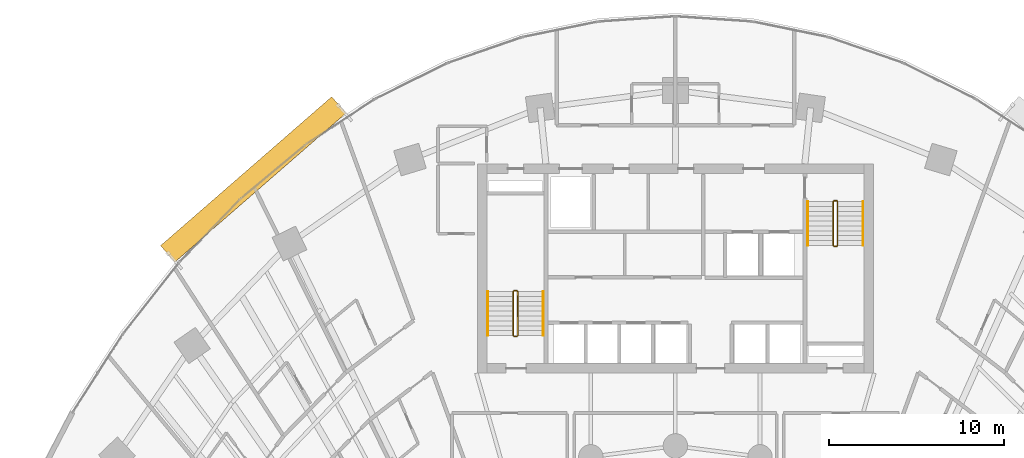
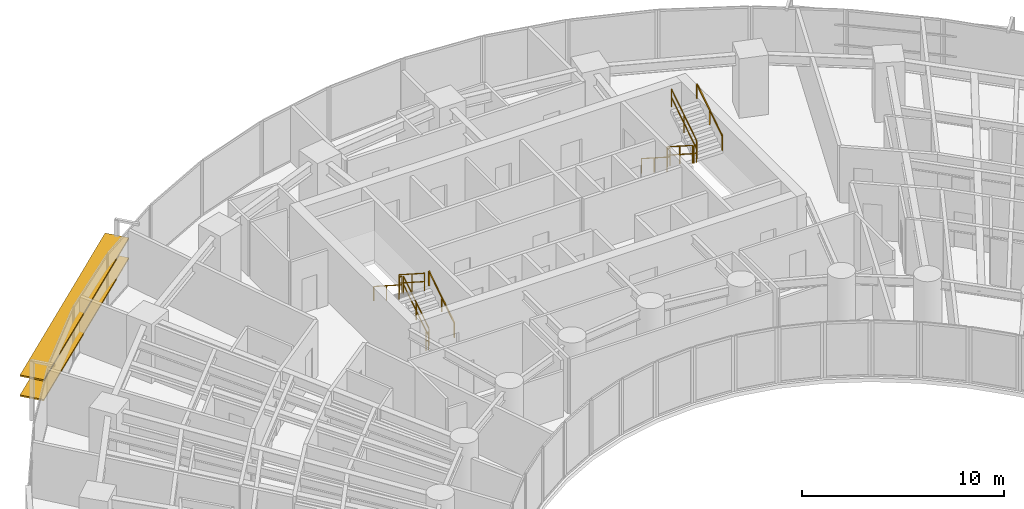
# One storey, part 17 of 18: 12 railings, 2 shading devices.
"""IFC4 building model written with IfcOpenShell, lengths in metres."""

import ifcopenshell
import ifcopenshell.guid

model = None  # the IFC model being written
_history = None  # IfcOwnerHistory: only IFC2X3 demands one
_inside = {}  # id of a spatial element -> (the spatial element, [elements in it])
_under = {}  # id of a project, library or spatial element -> (it, [spatial elements below it])
_declared = {}  # id of a project -> (the project, [libraries it declares])
_typed = {}  # id of a type object -> (the type object, [elements of that type])
_made_of = {}  # id of a material, layer set ... -> (it, [elements and type objects made of it])


def new_model(schema):
    """Start an empty IFC model of exactly this schema.

    Asked for "IFC4X3", IfcOpenShell would pick the latest addendum, in which some entities
    have other attributes; the version numbers below select the first issue.
    IFC2X3 requires an IfcOwnerHistory on every rooted entity: one is made here for all.
    """
    global model, _history
    if schema == "IFC4X3":
        model = ifcopenshell.file(schema_version=(4, 3, 0, 0))
    else:
        model = ifcopenshell.file(schema=schema)
    _inside.clear()
    _under.clear()
    _declared.clear()
    _typed.clear()
    _made_of.clear()
    _history = None
    if model.schema == "IFC2X3":
        org = make("IfcOrganization", Name="unknown")
        user = make(
            "IfcPersonAndOrganization",
            ThePerson=make("IfcPerson", FamilyName="unknown"),
            TheOrganization=org,
        )
        app = make(
            "IfcApplication",
            ApplicationDeveloper=org,
            Version="unknown",
            ApplicationFullName="unknown",
            ApplicationIdentifier="unknown",
        )
        _history = make(
            "IfcOwnerHistory",
            OwningUser=user,
            OwningApplication=app,
            ChangeAction="ADDED",
            CreationDate=0,
        )
    return model


def make(cls, **values):
    """One entity of the class cls with the attributes given. An attribute that is None is left unset."""
    return model.create_entity(
        cls, **{name: value for name, value in values.items() if value is not None}
    )


def rooted(cls, **values):
    """An entity with a GlobalId (a new one), such as an element, a storey or a relation."""
    return make(cls, GlobalId=ifcopenshell.guid.new(), OwnerHistory=_history, **values)


def si_unit(unit_type, name, prefix=None):
    """IfcSIUnit, for example si_unit("LENGTHUNIT", "METRE", prefix="MILLI")."""
    return make("IfcSIUnit", UnitType=unit_type, Prefix=prefix, Name=name)


def assignment(units):
    """IfcUnitAssignment: the units of a project."""
    return None if units is None else make("IfcUnitAssignment", Units=units)


def point(xyz):
    """IfcCartesianPoint."""
    return None if xyz is None else make("IfcCartesianPoint", Coordinates=xyz)


def direction(xyz):
    """IfcDirection."""
    return None if xyz is None else make("IfcDirection", DirectionRatios=xyz)


def frame(location, z_axis=None, x_axis=None):
    """IfcAxis2Placement3D, a coordinate frame: its origin and axes. An axis left out is left unset."""
    return make(
        "IfcAxis2Placement3D",
        Location=point(location),
        Axis=direction(z_axis),
        RefDirection=direction(x_axis),
    )


def frame_2d(location, x_axis=None):
    """IfcAxis2Placement2D, a coordinate frame in the plane: its origin and x axis."""
    return make(
        "IfcAxis2Placement2D", Location=point(location), RefDirection=direction(x_axis)
    )


def origin():
    """The frame at (0, 0, 0) with its axes left unset."""
    return frame((0.0, 0.0, 0.0))


def origin_2d():
    """The frame at (0, 0) in the plane with its x axis left unset."""
    return frame_2d((0.0, 0.0))


def place(relative_to, where):
    """IfcLocalPlacement: puts the frame where relative to a parent placement (None: the world)."""
    return make(
        "IfcLocalPlacement", PlacementRelTo=relative_to, RelativePlacement=where
    )


def context(
    kind, dimensions, precision=None, world=None, true_north=None, identifier=None
):
    """IfcGeometricRepresentationContext, for example the 3D "Model" context."""
    return make(
        "IfcGeometricRepresentationContext",
        ContextIdentifier=identifier,
        ContextType=kind,
        CoordinateSpaceDimension=dimensions,
        Precision=precision,
        WorldCoordinateSystem=world,
        TrueNorth=true_north,
    )


def subcontext(parent, identifier, kind, view, scale=None):
    """IfcGeometricRepresentationSubContext, for example "Body" below "Model"."""
    return make(
        "IfcGeometricRepresentationSubContext",
        ContextIdentifier=identifier,
        ContextType=kind,
        ParentContext=parent,
        TargetScale=scale,
        TargetView=view,
    )


def project(units=None, contexts=None):
    """IfcProject with its units and contexts."""
    return rooted(
        "IfcProject",
        Name="project",
        RepresentationContexts=contexts,
        UnitsInContext=assignment(units),
    )


def spatial(cls, under=None, at=None, **own):
    """A site, building, storey or space (cls), placed at a placement, below another one or the project."""
    s = rooted(cls, ObjectPlacement=at, **own)
    if under is not None:
        _under.setdefault(under.id(), (under, []))[1].append(s)
    return s


def profile(cls, at=None, kind="AREA", **sizes):
    """A parametric profile (cls). Its sizes go by their IFC names, for example OverallWidth=200.0."""
    return make(cls, ProfileType=kind, Position=at, **sizes)


def rectangle(**sizes):
    """IfcRectangleProfileDef."""
    return profile("IfcRectangleProfileDef", **sizes)


def extrude(swept, where, along, depth):
    """IfcExtrudedAreaSolid: the profile swept, set in the frame where, extruded along a direction by depth."""
    return make(
        "IfcExtrudedAreaSolid",
        SweptArea=swept,
        Position=where,
        ExtrudedDirection=direction(along),
        Depth=depth,
    )


def shape(context_of_items, identifier, shape_type, items):
    """IfcShapeRepresentation: the items that make up one representation, for example the "Body"."""
    return make(
        "IfcShapeRepresentation",
        ContextOfItems=context_of_items,
        RepresentationIdentifier=identifier,
        RepresentationType=shape_type,
        Items=items,
    )


def source(mapping_origin, context_of_items, identifier, shape_type, items):
    """IfcRepresentationMap: a shape defined once, which mapped items show again and again."""
    return make(
        "IfcRepresentationMap",
        MappingOrigin=mapping_origin,
        MappedRepresentation=shape(context_of_items, identifier, shape_type, items),
    )


def transform(
    local_origin,
    x_axis=None,
    y_axis=None,
    z_axis=None,
    scale=None,
    scale2=None,
    scale3=None,
    uniform=True,
):
    """IfcCartesianTransformationOperator3D, or its non-uniform kind. x_axis, y_axis, z_axis: its Axis1, 2, 3."""
    if uniform:
        return make(
            "IfcCartesianTransformationOperator3D",
            Axis1=direction(x_axis),
            Axis2=direction(y_axis),
            LocalOrigin=point(local_origin),
            Scale=scale,
            Axis3=direction(z_axis),
        )
    return make(
        "IfcCartesianTransformationOperator3DnonUniform",
        Axis1=direction(x_axis),
        Axis2=direction(y_axis),
        LocalOrigin=point(local_origin),
        Scale=scale,
        Axis3=direction(z_axis),
        Scale2=scale2,
        Scale3=scale3,
    )


def mapped(mapping_source, mapping_target):
    """IfcMappedItem: shows the shape of a source again, moved by a transform."""
    return make(
        "IfcMappedItem", MappingSource=mapping_source, MappingTarget=mapping_target
    )


def material(Name=None, Category=None):
    """IfcMaterial."""
    return make("IfcMaterial", Name=Name, Category=Category)


def material_profile(
    of_material, cross_section, Name=None, Category=None, Priority=None
):
    """IfcMaterialProfile: a cross section and its material."""
    return make(
        "IfcMaterialProfile",
        Name=Name,
        Material=of_material,
        Profile=cross_section,
        Priority=Priority,
        Category=Category,
    )


def profile_set(profiles, Name=None, composite=None):
    """IfcMaterialProfileSet."""
    return make(
        "IfcMaterialProfileSet",
        Name=Name,
        MaterialProfiles=profiles,
        CompositeProfile=composite,
    )


def made_of(thing, what):
    """Note that an element or type object is made of a material, layer set ...; save() writes the relation."""
    if what is not None:
        _made_of.setdefault(what.id(), (what, []))[1].append(thing)
    return thing


def type_object(cls, material=None, **own):
    """A type object (cls), such as IfcWallType, which elements share."""
    return made_of(rooted(cls, **own), material)


def type_shapes(of_type, sources):
    """Give a type object the sources (RepresentationMaps) that its elements show as mapped items."""
    of_type.RepresentationMaps = sources


def element(
    cls,
    number,
    at=None,
    inside=None,
    cuts=None,
    type_object=None,
    material=None,
    context=None,
    identifier="Body",
    shape_type=None,
    held_by="IfcProductDefinitionShape",
    body=None,
    shapes=None,
    **own,
):
    """One element of the class cls, such as IfcWall. Its Tag is "e" and its number.

    at: its placement. inside: the storey or other place that contains it. cuts: it is an
    opening in that element (IfcRelVoidsElement). A single representation is given by context,
    identifier, shape_type and body (its items); several are given by shapes. held_by: the class
    of the entity that holds the representations. save() writes the other relations.
    """
    e = rooted(cls, Tag="e%d" % number, ObjectPlacement=at, **own)
    if body is not None:
        shapes = [shape(context, identifier, shape_type, body)]
    if shapes is not None:
        e.Representation = make(held_by, Representations=shapes)
    if inside is not None:
        _inside.setdefault(inside.id(), (inside, []))[1].append(e)
    if cuts is not None:
        rooted(
            "IfcRelVoidsElement", RelatingBuildingElement=cuts, RelatedOpeningElement=e
        )
    if type_object is not None:
        _typed.setdefault(type_object.id(), (type_object, []))[1].append(e)
    return made_of(e, material)


def aggregate(whole, parts):
    """IfcRelAggregates: a whole, such as a stair, and the parts it consists of."""
    return rooted("IfcRelAggregates", RelatingObject=whole, RelatedObjects=parts)


def save(model, path):
    """Write the relations noted so far, then the file.

    IfcRelAggregates (storeys below a building ...), IfcRelContainedInSpatialStructure (elements
    in a storey), IfcRelDefinesByType, IfcRelAssociatesMaterial and IfcRelDeclares: one each for
    every whole, place, type object, material and project.
    """
    for whole, parts in _under.values():
        aggregate(whole, parts)
    for where, things in _inside.values():
        rooted(
            "IfcRelContainedInSpatialStructure",
            RelatedElements=things,
            RelatingStructure=where,
        )
    for kind, things in _typed.values():
        rooted("IfcRelDefinesByType", RelatedObjects=things, RelatingType=kind)
    for what, things in _made_of.values():
        rooted("IfcRelAssociatesMaterial", RelatedObjects=things, RelatingMaterial=what)
    for by, libraries in _declared.values():
        rooted("IfcRelDeclares", RelatingContext=by, RelatedDefinitions=libraries)
    model.write(path)


model = new_model("IFC4")

# Units and contexts
model_context = context("Model", 3, precision=1e-05, world=origin(), true_north=direction((0.0, 1.0)))
body_context = subcontext(model_context, "Body", "Model", "MODEL_VIEW")
ifc_project = project(units=[si_unit("LENGTHUNIT", "METRE"), si_unit("AREAUNIT", "SQUARE_METRE"), si_unit("VOLUMEUNIT", "CUBIC_METRE"), si_unit("PLANEANGLEUNIT", "RADIAN"), si_unit("MASSUNIT", "GRAM", prefix="KILO")], contexts=[model_context])

# Site, building, storey
site_placement = place(None, origin())
site = spatial("IfcSite", under=ifc_project, at=site_placement, CompositionType="ELEMENT")
building_placement = place(site_placement, origin())
building = spatial("IfcBuilding", under=site, at=building_placement, Name="Breltana Convention Tower", CompositionType="ELEMENT")
storey_placement = place(building_placement, frame((0.0, 0.0, 42.60009765625)))
storey = spatial("IfcBuildingStorey", under=building, at=storey_placement, Name="L08", CompositionType="ELEMENT", Elevation=42.60009765625)

# Railings
ifc_material_1 = material(Name="Steel S275 Painted", Category="steel")
railing_type_1 = type_object("IfcRailingType", Name="RL-STAIR-GUARD-1100", PredefinedType="GUARDRAIL", material=ifc_material_1)
railing_1_placement = place(storey_placement, frame((38.9599609375, 62.360107421875, 0.179931640625)))
element("IfcRailing", 1, at=railing_1_placement, inside=storey, type_object=railing_type_1, Name="L08 ST-1 stair guard 1", PredefinedType="GUARDRAIL", context=body_context, shape_type="SweptSolid", body=[
    extrude(rectangle(XDim=0.048095703125, YDim=0.048095703125, at=origin_2d()), frame((0.0, 0.0, 1.076171875), z_axis=(0.0, 0.841175827307, 0.540761710511), x_axis=(-1.0, 0.0, 0.0)), (0.0, 0.0, 1.0), 2.99560546875),
    extrude(rectangle(XDim=0.048095703125, YDim=0.048095703125, at=origin_2d()), frame((0.0, 0.0, 0.572021484375), z_axis=(0.0, 0.841175827307, 0.540761710511), x_axis=(-1.0, 0.0, 0.0)), (0.0, 0.0, 1.0), 2.99560546875),
    extrude(rectangle(XDim=0.0419921875, YDim=0.0419921875, at=origin_2d()), origin(), (0.0, 0.0, 1.0), 1.052001953125),
    extrude(rectangle(XDim=0.0419921875, YDim=0.0419921875, at=origin_2d()), frame((0.0, 1.259765625, 0.81005859375)), (0.0, 0.0, 1.0), 1.052001953125),
    extrude(rectangle(XDim=0.0419921875, YDim=0.0419921875, at=origin_2d()), frame((0.0, 2.519775390625, 1.619873046875)), (0.0, 0.0, 1.0), 1.052001953125),
])
railing_2_placement = place(storey_placement, frame((38.909912109375, 64.929931640625, 1.7998046875)))
element("IfcRailing", 2, at=railing_2_placement, inside=storey, type_object=railing_type_1, Name="L08 ST-1 stair guard 2", PredefinedType="GUARDRAIL", context=body_context, shape_type="SweptSolid", body=[
    extrude(rectangle(XDim=0.048095703125, YDim=0.048095703125, at=origin_2d()), frame((0.0, 0.0, 1.076171875), z_axis=(-1.0, 0.0, 0.0), x_axis=(0.0, -1.0, 0.0)), (0.0, 0.0, 1.0), 0.14990234375),
    extrude(rectangle(XDim=0.048095703125, YDim=0.048095703125, at=origin_2d()), frame((0.0, 0.0, 0.572021484375), z_axis=(-1.0, 0.0, 0.0), x_axis=(0.0, -1.0, 0.0)), (0.0, 0.0, 1.0), 0.14990234375),
    extrude(rectangle(XDim=0.0419921875, YDim=0.0419921875, at=origin_2d()), origin(), (0.0, 0.0, 1.0), 1.052001953125),
    extrude(rectangle(XDim=0.0419921875, YDim=0.0419921875, at=origin_2d()), frame((-0.14990234375, 0.0, 0.0)), (0.0, 0.0, 1.0), 1.052001953125),
])
railing_3_placement = place(storey_placement, frame((38.7099609375, 64.8798828125, 1.97998046875)))
element("IfcRailing", 3, at=railing_3_placement, inside=storey, type_object=railing_type_1, Name="L08 ST-1 stair guard 3", PredefinedType="GUARDRAIL", context=body_context, shape_type="SweptSolid", body=[
    extrude(rectangle(XDim=0.048095703125, YDim=0.048095703125, at=origin_2d()), frame((0.0, 0.0, 1.076171875), z_axis=(0.0, -0.841175827307, 0.540761710511), x_axis=(1.0, 0.0, 0.0)), (0.0, 0.0, 1.0), 2.99560546875),
    extrude(rectangle(XDim=0.048095703125, YDim=0.048095703125, at=origin_2d()), frame((0.0, 0.0, 0.572021484375), z_axis=(0.0, -0.841175827307, 0.540761710511), x_axis=(1.0, 0.0, 0.0)), (0.0, 0.0, 1.0), 2.99560546875),
    extrude(rectangle(XDim=0.0419921875, YDim=0.0419921875, at=origin_2d()), origin(), (0.0, 0.0, 1.0), 1.052001953125),
    extrude(rectangle(XDim=0.0419921875, YDim=0.0419921875, at=origin_2d()), frame((0.0, -1.259765625, 0.81005859375)), (0.0, 0.0, 1.0), 1.052001953125),
    extrude(rectangle(XDim=0.0419921875, YDim=0.0419921875, at=origin_2d()), frame((0.0, -2.519775390625, 1.619873046875)), (0.0, 0.0, 1.0), 1.052001953125),
])
railing_4_placement = place(storey_placement, frame((38.909912109375, 62.31005859375, 0.0)))
element("IfcRailing", 4, at=railing_4_placement, inside=storey, type_object=railing_type_1, Name="L08 ST-1 stair guard 4", PredefinedType="GUARDRAIL", context=body_context, shape_type="SweptSolid", body=[
    extrude(rectangle(XDim=0.048095703125, YDim=0.048095703125, at=origin_2d()), frame((0.0, 0.0, 1.076171875), z_axis=(-1.0, 0.0, 0.0), x_axis=(0.0, -1.0, 0.0)), (0.0, 0.0, 1.0), 0.14990234375),
    extrude(rectangle(XDim=0.048095703125, YDim=0.048095703125, at=origin_2d()), frame((0.0, 0.0, 0.572021484375), z_axis=(-1.0, 0.0, 0.0), x_axis=(0.0, -1.0, 0.0)), (0.0, 0.0, 1.0), 0.14990234375),
    extrude(rectangle(XDim=0.0419921875, YDim=0.0419921875, at=origin_2d()), origin(), (0.0, 0.0, 1.0), 1.052001953125),
    extrude(rectangle(XDim=0.0419921875, YDim=0.0419921875, at=origin_2d()), frame((-0.14990234375, 0.0, 0.0)), (0.0, 0.0, 1.0), 1.052001953125),
])
railing_5_placement = place(storey_placement, frame((57.0400390625, 70.0400390625, 0.179931640625)))
element("IfcRailing", 5, at=railing_5_placement, inside=storey, type_object=railing_type_1, Name="L08 ST-2 stair guard 1", PredefinedType="GUARDRAIL", context=body_context, shape_type="SweptSolid", body=[
    extrude(rectangle(XDim=0.048095703125, YDim=0.048095703125, at=origin_2d()), frame((0.0, 0.0, 1.076171875), z_axis=(0.0, -0.841199657755, 0.540724639528), x_axis=(1.0, 0.0, 0.0)), (0.0, 0.0, 1.0), 2.995849609375),
    extrude(rectangle(XDim=0.048095703125, YDim=0.048095703125, at=origin_2d()), frame((0.0, 0.0, 0.572021484375), z_axis=(0.0, -0.841199657755, 0.540724639528), x_axis=(1.0, 0.0, 0.0)), (0.0, 0.0, 1.0), 2.995849609375),
    extrude(rectangle(XDim=0.0419921875, YDim=0.0419921875, at=origin_2d()), origin(), (0.0, 0.0, 1.0), 1.052001953125),
    extrude(rectangle(XDim=0.0419921875, YDim=0.0419921875, at=origin_2d()), frame((0.0, -1.260009765625, 0.81005859375)), (0.0, 0.0, 1.0), 1.052001953125),
    extrude(rectangle(XDim=0.0419921875, YDim=0.0419921875, at=origin_2d()), frame((0.0, -2.52001953125, 1.619873046875)), (0.0, 0.0, 1.0), 1.052001953125),
])
railing_6_placement = place(storey_placement, frame((57.090087890625, 67.469970703125, 1.7998046875)))
element("IfcRailing", 6, at=railing_6_placement, inside=storey, type_object=railing_type_1, Name="L08 ST-2 stair guard 2", PredefinedType="GUARDRAIL", context=body_context, shape_type="SweptSolid", body=[
    extrude(rectangle(XDim=0.048095703125, YDim=0.048095703125, at=origin_2d()), frame((0.0, 0.0, 1.076171875), z_axis=(1.0, 0.0, 0.0), x_axis=(0.0, 1.0, 0.0)), (0.0, 0.0, 1.0), 0.14990234375),
    extrude(rectangle(XDim=0.048095703125, YDim=0.048095703125, at=origin_2d()), frame((0.0, 0.0, 0.572021484375), z_axis=(1.0, 0.0, 0.0), x_axis=(0.0, 1.0, 0.0)), (0.0, 0.0, 1.0), 0.14990234375),
    extrude(rectangle(XDim=0.0419921875, YDim=0.0419921875, at=origin_2d()), origin(), (0.0, 0.0, 1.0), 1.052001953125),
    extrude(rectangle(XDim=0.0419921875, YDim=0.0419921875, at=origin_2d()), frame((0.14990234375, 0.0, 0.0)), (0.0, 0.0, 1.0), 1.052001953125),
])
railing_7_placement = place(storey_placement, frame((57.2900390625, 67.52001953125, 1.97998046875)))
element("IfcRailing", 7, at=railing_7_placement, inside=storey, type_object=railing_type_1, Name="L08 ST-2 stair guard 3", PredefinedType="GUARDRAIL", context=body_context, shape_type="SweptSolid", body=[
    extrude(rectangle(XDim=0.048095703125, YDim=0.048095703125, at=origin_2d()), frame((0.0, 0.0, 1.076171875), z_axis=(0.0, 0.841199657755, 0.540724639528), x_axis=(-1.0, 0.0, 0.0)), (0.0, 0.0, 1.0), 2.995849609375),
    extrude(rectangle(XDim=0.048095703125, YDim=0.048095703125, at=origin_2d()), frame((0.0, 0.0, 0.572021484375), z_axis=(0.0, 0.841199657755, 0.540724639528), x_axis=(-1.0, 0.0, 0.0)), (0.0, 0.0, 1.0), 2.995849609375),
    extrude(rectangle(XDim=0.0419921875, YDim=0.0419921875, at=origin_2d()), origin(), (0.0, 0.0, 1.0), 1.052001953125),
    extrude(rectangle(XDim=0.0419921875, YDim=0.0419921875, at=origin_2d()), frame((0.0, 1.260009765625, 0.81005859375)), (0.0, 0.0, 1.0), 1.052001953125),
    extrude(rectangle(XDim=0.0419921875, YDim=0.0419921875, at=origin_2d()), frame((0.0, 2.52001953125, 1.619873046875)), (0.0, 0.0, 1.0), 1.052001953125),
])
railing_8_placement = place(storey_placement, frame((57.090087890625, 70.090087890625, 0.0)))
element("IfcRailing", 8, at=railing_8_placement, inside=storey, type_object=railing_type_1, Name="L08 ST-2 stair guard 4", PredefinedType="GUARDRAIL", context=body_context, shape_type="SweptSolid", body=[
    extrude(rectangle(XDim=0.048095703125, YDim=0.048095703125, at=origin_2d()), frame((0.0, 0.0, 1.076171875), z_axis=(1.0, 0.0, 0.0), x_axis=(0.0, 1.0, 0.0)), (0.0, 0.0, 1.0), 0.14990234375),
    extrude(rectangle(XDim=0.048095703125, YDim=0.048095703125, at=origin_2d()), frame((0.0, 0.0, 0.572021484375), z_axis=(1.0, 0.0, 0.0), x_axis=(0.0, 1.0, 0.0)), (0.0, 0.0, 1.0), 0.14990234375),
    extrude(rectangle(XDim=0.0419921875, YDim=0.0419921875, at=origin_2d()), origin(), (0.0, 0.0, 1.0), 1.052001953125),
    extrude(rectangle(XDim=0.0419921875, YDim=0.0419921875, at=origin_2d()), frame((0.14990234375, 0.0, 0.0)), (0.0, 0.0, 1.0), 1.052001953125),
])
ifc_material_2 = material(Name="Stainless Steel 316L", Category="steel")
railing_type_2 = type_object("IfcRailingType", Name="RL-STAIR-HANDRAIL-900", PredefinedType="HANDRAIL", material=ifc_material_2)
railing_9_placement = place(storey_placement, frame((40.419921875, 62.360107421875, 0.179931640625)))
element("IfcRailing", 9, at=railing_9_placement, inside=storey, type_object=railing_type_2, Name="L08 ST-1 stair handrail 1", PredefinedType="HANDRAIL", context=body_context, shape_type="SweptSolid", body=[
    extrude(rectangle(XDim=0.048095703125, YDim=0.048095703125, at=origin_2d()), frame((0.0, 0.0, 0.8759765625), z_axis=(0.0, 0.841175827307, 0.540761710511), x_axis=(-1.0, 0.0, 0.0)), (0.0, 0.0, 1.0), 2.99560546875),
    extrude(rectangle(XDim=0.0419921875, YDim=0.0419921875, at=origin_2d()), origin(), (0.0, 0.0, 1.0), 0.851806640625),
    extrude(rectangle(XDim=0.0419921875, YDim=0.0419921875, at=origin_2d()), frame((0.0, 1.259765625, 0.81005859375)), (0.0, 0.0, 1.0), 0.851806640625),
    extrude(rectangle(XDim=0.0419921875, YDim=0.0419921875, at=origin_2d()), frame((0.0, 2.519775390625, 1.619873046875)), (0.0, 0.0, 1.0), 0.851806640625),
])
railing_10_placement = place(storey_placement, frame((37.25, 64.8798828125, 1.97998046875)))
element("IfcRailing", 10, at=railing_10_placement, inside=storey, type_object=railing_type_2, Name="L08 ST-1 stair handrail 2", PredefinedType="HANDRAIL", context=body_context, shape_type="SweptSolid", body=[
    extrude(rectangle(XDim=0.048095703125, YDim=0.048095703125, at=origin_2d()), frame((0.0, 0.0, 0.8759765625), z_axis=(0.0, -0.841175827307, 0.540761710511), x_axis=(1.0, 0.0, 0.0)), (0.0, 0.0, 1.0), 2.99560546875),
    extrude(rectangle(XDim=0.0419921875, YDim=0.0419921875, at=origin_2d()), origin(), (0.0, 0.0, 1.0), 0.851806640625),
    extrude(rectangle(XDim=0.0419921875, YDim=0.0419921875, at=origin_2d()), frame((0.0, -1.259765625, 0.81005859375)), (0.0, 0.0, 1.0), 0.851806640625),
    extrude(rectangle(XDim=0.0419921875, YDim=0.0419921875, at=origin_2d()), frame((0.0, -2.519775390625, 1.619873046875)), (0.0, 0.0, 1.0), 0.851806640625),
])
railing_11_placement = place(storey_placement, frame((55.580078125, 70.0400390625, 0.179931640625)))
element("IfcRailing", 11, at=railing_11_placement, inside=storey, type_object=railing_type_2, Name="L08 ST-2 stair handrail 1", PredefinedType="HANDRAIL", context=body_context, shape_type="SweptSolid", body=[
    extrude(rectangle(XDim=0.048095703125, YDim=0.048095703125, at=origin_2d()), frame((0.0, 0.0, 0.8759765625), z_axis=(0.0, -0.841199657755, 0.540724639528), x_axis=(1.0, 0.0, 0.0)), (0.0, 0.0, 1.0), 2.995849609375),
    extrude(rectangle(XDim=0.0419921875, YDim=0.0419921875, at=origin_2d()), origin(), (0.0, 0.0, 1.0), 0.851806640625),
    extrude(rectangle(XDim=0.0419921875, YDim=0.0419921875, at=origin_2d()), frame((0.0, -1.260009765625, 0.81005859375)), (0.0, 0.0, 1.0), 0.851806640625),
    extrude(rectangle(XDim=0.0419921875, YDim=0.0419921875, at=origin_2d()), frame((0.0, -2.52001953125, 1.619873046875)), (0.0, 0.0, 1.0), 0.851806640625),
])
railing_12_placement = place(storey_placement, frame((58.75, 67.52001953125, 1.97998046875)))
element("IfcRailing", 12, at=railing_12_placement, inside=storey, type_object=railing_type_2, Name="L08 ST-2 stair handrail 2", PredefinedType="HANDRAIL", context=body_context, shape_type="SweptSolid", body=[
    extrude(rectangle(XDim=0.048095703125, YDim=0.048095703125, at=origin_2d()), frame((0.0, 0.0, 0.8759765625), z_axis=(0.0, 0.841199657755, 0.540724639528), x_axis=(-1.0, 0.0, 0.0)), (0.0, 0.0, 1.0), 2.995849609375),
    extrude(rectangle(XDim=0.0419921875, YDim=0.0419921875, at=origin_2d()), origin(), (0.0, 0.0, 1.0), 0.851806640625),
    extrude(rectangle(XDim=0.0419921875, YDim=0.0419921875, at=origin_2d()), frame((0.0, 1.260009765625, 0.81005859375)), (0.0, 0.0, 1.0), 0.851806640625),
    extrude(rectangle(XDim=0.0419921875, YDim=0.0419921875, at=origin_2d()), frame((0.0, 2.52001953125, 1.619873046875)), (0.0, 0.0, 1.0), 0.851806640625),
])

# Shading devices
ifc_material_3 = material(Name="Limestone Warm Buff Honed", Category="masonry")
ifc_material_profile = material_profile(ifc_material_3, rectangle(XDim=1.25, YDim=0.090087890625, at=origin_2d()), Name="STN-LVR-1250X90")
ifc_profile_set = profile_set([ifc_material_profile], Name="Limestone Warm Buff Honed")
shading_device_type = type_object("IfcShadingDeviceType", Name="SHD-OUTER-SKIN-LIMESTONE-1250", PredefinedType="JALOUSIE", material=ifc_profile_set)
shared_shape = source(origin(), body_context, "Body", "SweptSolid", [
    extrude(rectangle(XDim=1.25, YDim=0.090087890625, at=origin_2d()), origin(), (0.0, 0.0, 1.0), 12.99462890625),
])
type_shapes(shading_device_type, [shared_shape])
for number, where, z_axis, x_axis, name in (
    (13, (18.9130859375, 67.039794921875, 1.20947265625), (0.754353477941, 0.656468453407, 0.0), (-0.656468453407, 0.754353477941, 0.0), "L08 outer skin warm limestone louvre 1.1"),
    (14, (18.9130859375, 67.039794921875, 2.419189453125), (0.754353477941, 0.656468453407, 0.0), (-0.656468453407, 0.754353477941, 0.0), "L08 outer skin warm limestone louvre 1.2"),
):
    element("IfcShadingDevice", number, at=place(storey_placement, frame(where, z_axis=z_axis, x_axis=x_axis)), inside=storey, type_object=shading_device_type, Name=name, PredefinedType="JALOUSIE", context=body_context, shape_type="MappedRepresentation", body=[
        mapped(shared_shape, transform((0.0, 0.0, 0.0), scale=1.0)),
    ])

save(model, "model.ifc")
